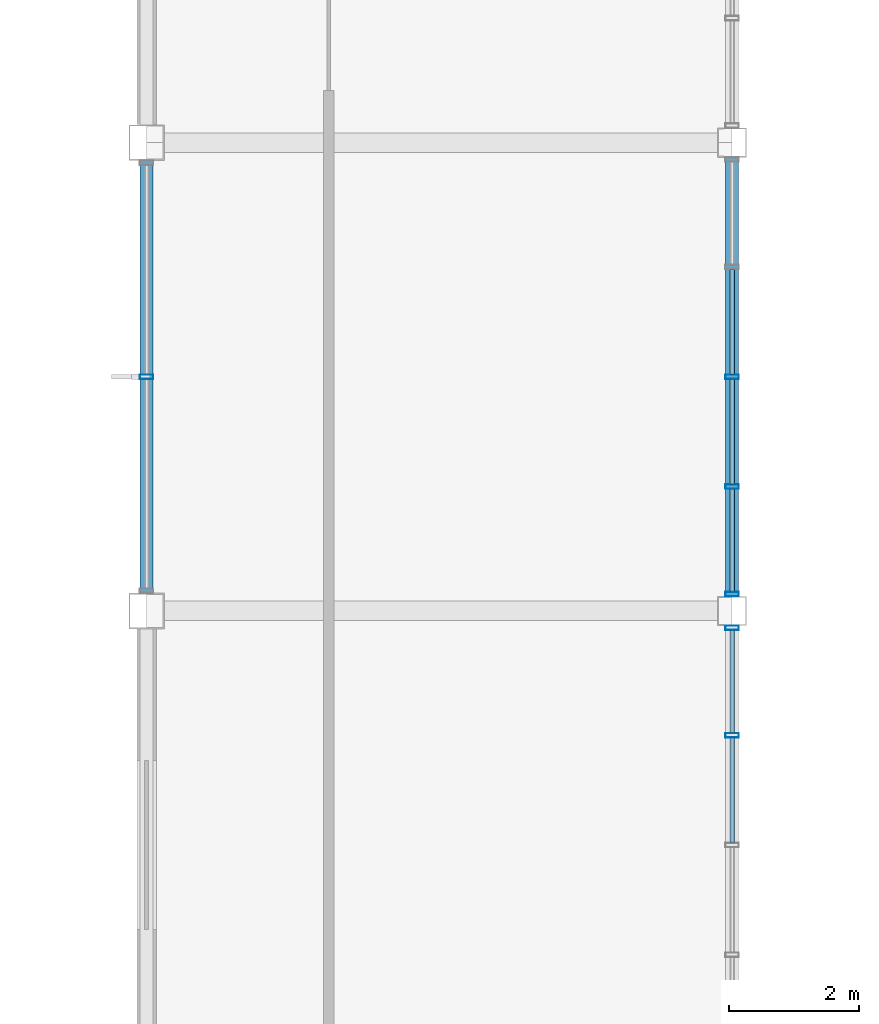
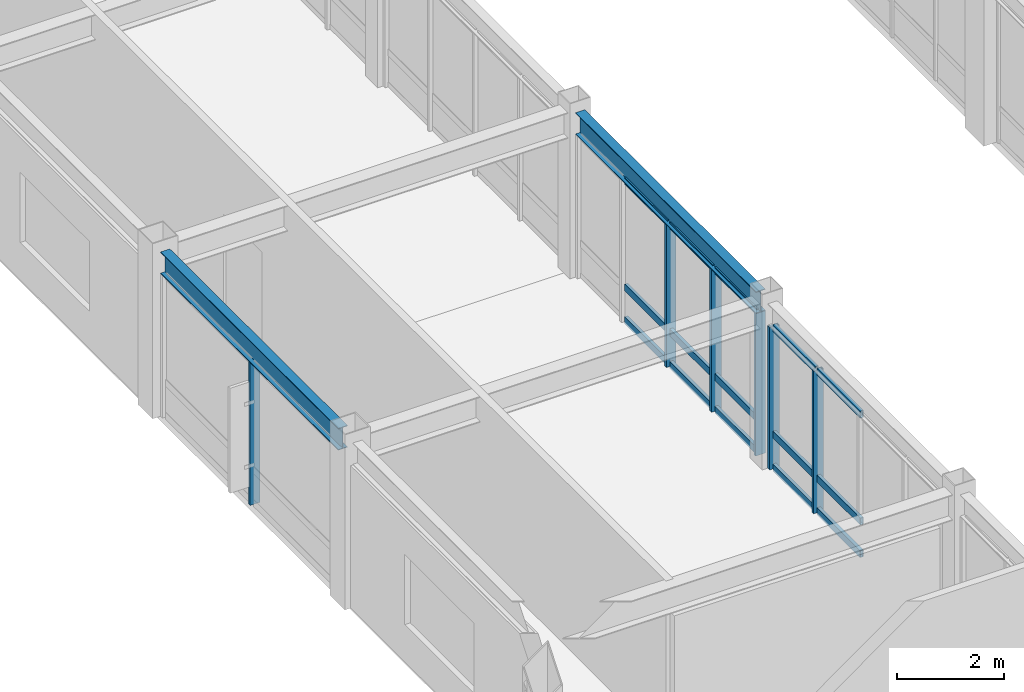
# One storey, part 46 of 122: 21 members, 2 beams, 3 elements without a shape of their own.
"""IFC4 building model written with IfcOpenShell, lengths in metres."""

from ifc_helpers import new_model, si_unit, direction, frame, origin, origin_2d, place, context, subcontext, project, spatial, hollow_rectangle, i_section, extrude, material, material_profile, profile_set, type_object, element, aggregate, save


model = new_model("IFC4")

# Units and contexts
model_context = context("Model", 3, precision=1e-05, world=origin(), true_north=direction((0.0, 1.0)))
body_context = subcontext(model_context, "Body", "Model", "MODEL_VIEW")
ifc_project = project(units=[si_unit("LENGTHUNIT", "METRE"), si_unit("AREAUNIT", "SQUARE_METRE"), si_unit("VOLUMEUNIT", "CUBIC_METRE"), si_unit("PLANEANGLEUNIT", "RADIAN"), si_unit("MASSUNIT", "GRAM", prefix="KILO")], contexts=[model_context])

# Site, building, storey
site_placement = place(None, origin())
site = spatial("IfcSite", under=ifc_project, at=site_placement, CompositionType="ELEMENT")
building_placement = place(site_placement, origin())
building = spatial("IfcBuilding", under=site, at=building_placement, Name="Kazanami Central Library", CompositionType="ELEMENT")
storey_placement = place(building_placement, frame((0.0, 0.0, 4.800048828125)))
storey = spatial("IfcBuildingStorey", under=building, at=storey_placement, Name="L02", CompositionType="ELEMENT", Elevation=4.800048828125)

# Beams
ifc_material_1 = material(Name="Steel SN490B (325 MPa)", Category="steel")
ifc_material_profile_1 = material_profile(ifc_material_1, i_section(OverallWidth=0.199951171875, OverallDepth=0.5, WebThickness=0.010009765625, FlangeThickness=0.01611328125, at=origin_2d()), Name="H-500x200x10x16")
ifc_profile_set_1 = profile_set([ifc_material_profile_1], Name="Steel SN490B (325 MPa)")
beam_type = type_object("IfcBeamType", Name="BM-SP-1", PredefinedType="SPANDREL", material=ifc_profile_set_1)
beam_1_placement = place(storey_placement, frame((99.0, 43.472900390625, 3.5048828125), z_axis=(0.0, 1.0, 0.0), x_axis=(-1.0, 0.0, 0.0)))
element("IfcBeam", 1, at=beam_1_placement, inside=storey, type_object=beam_type, Name="Girder SP-1 L02 12/G-H", PredefinedType="SPANDREL", context=body_context, shape_type="SweptSolid", body=[
    extrude(i_section(OverallWidth=0.199951171875, OverallDepth=0.5, WebThickness=0.010009765625, FlangeThickness=0.01611328125, at=origin_2d()), origin(), (0.0, 0.0, 1.0), 6.654052734375),
])
beam_2_placement = place(storey_placement, frame((108.0, 43.423095703125, 3.5048828125), z_axis=(0.0, 1.0, 0.0), x_axis=(-1.0, 0.0, 0.0)))
element("IfcBeam", 2, at=beam_2_placement, inside=storey, type_object=beam_type, Name="Girder SP-1 L02 13/G-H", PredefinedType="SPANDREL", context=body_context, shape_type="SweptSolid", body=[
    extrude(i_section(OverallWidth=0.199951171875, OverallDepth=0.5, WebThickness=0.010009765625, FlangeThickness=0.01611328125, at=origin_2d()), origin(), (0.0, 0.0, 1.0), 6.75390625),
])

# Curtain wall, member
ifc_material_2 = material(Name="Acid-Etched Low-E Laminated Glass", Category="glass")
curtain_wall_type_1 = type_object("IfcCurtainWallType", Name="CW-6650x3255-M275", PredefinedType="USERDEFINED", material=ifc_material_2)
curtain_wall_1_placement = place(storey_placement, origin())
curtain_wall_1 = element("IfcCurtainWall", 3, at=curtain_wall_1_placement, inside=storey, type_object=curtain_wall_type_1, Name="Unitised Curtain Wall CW-22 L02 W-12-06", ObjectType="UNITISED CURTAIN WALL", PredefinedType="USERDEFINED")
ifc_material_3 = material(Name="Anodised Aluminium A6063-T5", Category="aluminium")
ifc_material_profile_2 = material_profile(ifc_material_3, hollow_rectangle(XDim=0.070068359375, YDim=0.2099609375, WallThickness=0.0048828125, at=origin_2d()), Name="ALU-MULL-70x210x5")
ifc_profile_set_2 = profile_set([ifc_material_profile_2], Name="Anodised Aluminium A6063-T5")
member_type_1 = type_object("IfcMemberType", Name="MEM-CW-M1", PredefinedType="MULLION", material=ifc_profile_set_2)
member_1_placement = place(storey_placement, frame((99.0, 46.800048828125, 0.0), z_axis=(0.0, 0.0, 1.0), x_axis=(0.0, 1.0, 0.0)))
member_1 = element("IfcMember", 4, at=member_1_placement, type_object=member_type_1, Name="CW-22 mullion 2", PredefinedType="MULLION", context=body_context, shape_type="SweptSolid", body=[
    extrude(hollow_rectangle(XDim=0.070068359375, YDim=0.2099609375, WallThickness=0.0048828125, at=origin_2d()), origin(), (0.0, 0.0, 1.0), 3.2548828125),
])
aggregate(curtain_wall_1, [member_1])

# Curtain wall, members
curtain_wall_type_2 = type_object("IfcCurtainWallType", Name="CW-6750x3255-M180", PredefinedType="USERDEFINED", material=ifc_material_2)
curtain_wall_2_placement = place(storey_placement, origin())
curtain_wall_2 = element("IfcCurtainWall", 5, at=curtain_wall_2_placement, inside=storey, type_object=curtain_wall_type_2, Name="Covered Link Bridge Curtain Wall CW-21 L02 E-13-05", ObjectType="UNITISED CURTAIN WALL", PredefinedType="USERDEFINED")
member_2_placement = place(storey_placement, frame((108.0, 42.93994140625, 0.0), z_axis=(0.0, 0.0, 1.0), x_axis=(0.0, -1.0, 0.0)))
member_2 = element("IfcMember", 6, at=member_2_placement, type_object=member_type_1, Name="CW-21 mullion 1", PredefinedType="MULLION", context=body_context, shape_type="SweptSolid", body=[
    extrude(hollow_rectangle(XDim=0.070068359375, YDim=0.2099609375, WallThickness=0.0048828125, at=origin_2d()), origin(), (0.0, 0.0, 1.0), 3.2548828125),
])
member_3_placement = place(storey_placement, frame((108.0, 41.28759765625, 0.0), z_axis=(0.0, 0.0, 1.0), x_axis=(0.0, -1.0, 0.0)))
member_3 = element("IfcMember", 7, at=member_3_placement, type_object=member_type_1, Name="CW-21 mullion 2", PredefinedType="MULLION", context=body_context, shape_type="SweptSolid", body=[
    extrude(hollow_rectangle(XDim=0.070068359375, YDim=0.2099609375, WallThickness=0.0048828125, at=origin_2d()), origin(), (0.0, 0.0, 1.0), 3.2548828125),
])

curtain_wall_3_placement = place(storey_placement, origin())
curtain_wall_3 = element("IfcCurtainWall", 8, at=curtain_wall_3_placement, inside=storey, type_object=curtain_wall_type_2, Name="Covered Link Bridge Curtain Wall CW-21 L02 E-13-06", ObjectType="UNITISED CURTAIN WALL", PredefinedType="USERDEFINED")
member_4_placement = place(storey_placement, frame((108.0, 46.800048828125, 0.0), z_axis=(0.0, 0.0, 1.0), x_axis=(0.0, -1.0, 0.0)))
member_4 = element("IfcMember", 9, at=member_4_placement, type_object=member_type_1, Name="CW-21 mullion 3", PredefinedType="MULLION", context=body_context, shape_type="SweptSolid", body=[
    extrude(hollow_rectangle(XDim=0.070068359375, YDim=0.2099609375, WallThickness=0.0048828125, at=origin_2d()), origin(), (0.0, 0.0, 1.0), 3.2548828125),
])
member_5_placement = place(storey_placement, frame((108.0, 45.112548828125, 0.0), z_axis=(0.0, 0.0, 1.0), x_axis=(0.0, -1.0, 0.0)))
member_5 = element("IfcMember", 10, at=member_5_placement, type_object=member_type_1, Name="CW-21 mullion 4", PredefinedType="MULLION", context=body_context, shape_type="SweptSolid", body=[
    extrude(hollow_rectangle(XDim=0.070068359375, YDim=0.2099609375, WallThickness=0.0048828125, at=origin_2d()), origin(), (0.0, 0.0, 1.0), 3.2548828125),
])
member_6_placement = place(storey_placement, frame((108.0, 43.4599609375, 0.0), z_axis=(0.0, 0.0, 1.0), x_axis=(0.0, -1.0, 0.0)))
member_6 = element("IfcMember", 11, at=member_6_placement, type_object=member_type_1, Name="CW-21 mullion 5", PredefinedType="MULLION", context=body_context, shape_type="SweptSolid", body=[
    extrude(hollow_rectangle(XDim=0.070068359375, YDim=0.2099609375, WallThickness=0.0048828125, at=origin_2d()), origin(), (0.0, 0.0, 1.0), 3.2548828125),
])

# Member
ifc_material_profile_3 = material_profile(ifc_material_3, hollow_rectangle(XDim=0.070068359375, YDim=0.159912109375, WallThickness=0.00390625, at=origin_2d()), Name="ALU-TRAN-70x160x4")
ifc_profile_set_3 = profile_set([ifc_material_profile_3], Name="Anodised Aluminium A6063-T5")
member_type_2 = type_object("IfcMemberType", Name="MEM-CW-T1", PredefinedType="USERDEFINED", material=ifc_profile_set_3)
member_7_placement = place(storey_placement, frame((108.0, 42.905029296875, 0.034912109375), z_axis=(0.0, -1.0, 0.0), x_axis=(1.0, 0.0, 0.0)))
member_7 = element("IfcMember", 12, at=member_7_placement, type_object=member_type_2, Name="CW-21 transom 1.1", ObjectType="TRANSOM", PredefinedType="USERDEFINED", context=body_context, shape_type="SweptSolid", body=[
    extrude(hollow_rectangle(XDim=0.070068359375, YDim=0.159912109375, WallThickness=0.00390625, at=origin_2d()), origin(), (0.0, 0.0, 1.0), 1.58251953125),
])

member_8_placement = place(storey_placement, frame((108.0, 42.905029296875, 0.780029296875), z_axis=(0.0, -1.0, 0.0), x_axis=(1.0, 0.0, 0.0)))
member_8 = element("IfcMember", 13, at=member_8_placement, type_object=member_type_2, Name="CW-21 transom 1.2", ObjectType="TRANSOM", PredefinedType="USERDEFINED", context=body_context, shape_type="SweptSolid", body=[
    extrude(hollow_rectangle(XDim=0.070068359375, YDim=0.159912109375, WallThickness=0.00390625, at=origin_2d()), origin(), (0.0, 0.0, 1.0), 1.58251953125),
])

member_9_placement = place(storey_placement, frame((108.0, 42.905029296875, 3.219970703125), z_axis=(0.0, -1.0, 0.0), x_axis=(1.0, 0.0, 0.0)))
member_9 = element("IfcMember", 14, at=member_9_placement, type_object=member_type_2, Name="CW-21 transom 1.3", ObjectType="TRANSOM", PredefinedType="USERDEFINED", context=body_context, shape_type="SweptSolid", body=[
    extrude(hollow_rectangle(XDim=0.070068359375, YDim=0.159912109375, WallThickness=0.00390625, at=origin_2d()), origin(), (0.0, 0.0, 1.0), 1.58251953125),
])

member_10_placement = place(storey_placement, frame((108.0, 41.25244140625, 0.034912109375), z_axis=(0.0, -1.0, 0.0), x_axis=(1.0, 0.0, 0.0)))
member_10 = element("IfcMember", 15, at=member_10_placement, type_object=member_type_2, Name="CW-21 transom 2.1", ObjectType="TRANSOM", PredefinedType="USERDEFINED", context=body_context, shape_type="SweptSolid", body=[
    extrude(hollow_rectangle(XDim=0.070068359375, YDim=0.159912109375, WallThickness=0.00390625, at=origin_2d()), origin(), (0.0, 0.0, 1.0), 1.617431640625),
])

member_11_placement = place(storey_placement, frame((108.0, 41.25244140625, 0.780029296875), z_axis=(0.0, -1.0, 0.0), x_axis=(1.0, 0.0, 0.0)))
member_11 = element("IfcMember", 16, at=member_11_placement, type_object=member_type_2, Name="CW-21 transom 2.2", ObjectType="TRANSOM", PredefinedType="USERDEFINED", context=body_context, shape_type="SweptSolid", body=[
    extrude(hollow_rectangle(XDim=0.070068359375, YDim=0.159912109375, WallThickness=0.00390625, at=origin_2d()), origin(), (0.0, 0.0, 1.0), 1.617431640625),
])

member_12_placement = place(storey_placement, frame((108.0, 41.25244140625, 3.219970703125), z_axis=(0.0, -1.0, 0.0), x_axis=(1.0, 0.0, 0.0)))
member_12 = element("IfcMember", 17, at=member_12_placement, type_object=member_type_2, Name="CW-21 transom 2.3", ObjectType="TRANSOM", PredefinedType="USERDEFINED", context=body_context, shape_type="SweptSolid", body=[
    extrude(hollow_rectangle(XDim=0.070068359375, YDim=0.159912109375, WallThickness=0.00390625, at=origin_2d()), origin(), (0.0, 0.0, 1.0), 1.617431640625),
])

aggregate(curtain_wall_2, [member_2, member_3, member_7, member_8, member_9, member_10, member_11, member_12])

member_13_placement = place(storey_placement, frame((108.0, 48.452392578125, 0.034912109375), z_axis=(0.0, -1.0, 0.0), x_axis=(1.0, 0.0, 0.0)))
member_13 = element("IfcMember", 18, at=member_13_placement, type_object=member_type_2, Name="CW-21 transom 2.1", ObjectType="TRANSOM", PredefinedType="USERDEFINED", context=body_context, shape_type="SweptSolid", body=[
    extrude(hollow_rectangle(XDim=0.070068359375, YDim=0.159912109375, WallThickness=0.00390625, at=origin_2d()), origin(), (0.0, 0.0, 1.0), 1.617431640625),
])

member_14_placement = place(storey_placement, frame((108.0, 48.452392578125, 0.780029296875), z_axis=(0.0, -1.0, 0.0), x_axis=(1.0, 0.0, 0.0)))
member_14 = element("IfcMember", 19, at=member_14_placement, type_object=member_type_2, Name="CW-21 transom 2.2", ObjectType="TRANSOM", PredefinedType="USERDEFINED", context=body_context, shape_type="SweptSolid", body=[
    extrude(hollow_rectangle(XDim=0.070068359375, YDim=0.159912109375, WallThickness=0.00390625, at=origin_2d()), origin(), (0.0, 0.0, 1.0), 1.617431640625),
])

member_15_placement = place(storey_placement, frame((108.0, 48.452392578125, 3.219970703125), z_axis=(0.0, -1.0, 0.0), x_axis=(1.0, 0.0, 0.0)))
member_15 = element("IfcMember", 20, at=member_15_placement, type_object=member_type_2, Name="CW-21 transom 2.3", ObjectType="TRANSOM", PredefinedType="USERDEFINED", context=body_context, shape_type="SweptSolid", body=[
    extrude(hollow_rectangle(XDim=0.070068359375, YDim=0.159912109375, WallThickness=0.00390625, at=origin_2d()), origin(), (0.0, 0.0, 1.0), 1.617431640625),
])

member_16_placement = place(storey_placement, frame((108.0, 46.764892578125, 0.034912109375), z_axis=(0.0, -1.0, 0.0), x_axis=(1.0, 0.0, 0.0)))
member_16 = element("IfcMember", 21, at=member_16_placement, type_object=member_type_2, Name="CW-21 transom 3.1", ObjectType="TRANSOM", PredefinedType="USERDEFINED", context=body_context, shape_type="SweptSolid", body=[
    extrude(hollow_rectangle(XDim=0.070068359375, YDim=0.159912109375, WallThickness=0.00390625, at=origin_2d()), origin(), (0.0, 0.0, 1.0), 1.617431640625),
])

member_17_placement = place(storey_placement, frame((108.0, 46.764892578125, 0.780029296875), z_axis=(0.0, -1.0, 0.0), x_axis=(1.0, 0.0, 0.0)))
member_17 = element("IfcMember", 22, at=member_17_placement, type_object=member_type_2, Name="CW-21 transom 3.2", ObjectType="TRANSOM", PredefinedType="USERDEFINED", context=body_context, shape_type="SweptSolid", body=[
    extrude(hollow_rectangle(XDim=0.070068359375, YDim=0.159912109375, WallThickness=0.00390625, at=origin_2d()), origin(), (0.0, 0.0, 1.0), 1.617431640625),
])

member_18_placement = place(storey_placement, frame((108.0, 46.764892578125, 3.219970703125), z_axis=(0.0, -1.0, 0.0), x_axis=(1.0, 0.0, 0.0)))
member_18 = element("IfcMember", 23, at=member_18_placement, type_object=member_type_2, Name="CW-21 transom 3.3", ObjectType="TRANSOM", PredefinedType="USERDEFINED", context=body_context, shape_type="SweptSolid", body=[
    extrude(hollow_rectangle(XDim=0.070068359375, YDim=0.159912109375, WallThickness=0.00390625, at=origin_2d()), origin(), (0.0, 0.0, 1.0), 1.617431640625),
])

member_19_placement = place(storey_placement, frame((108.0, 45.077392578125, 0.034912109375), z_axis=(0.0, -1.0, 0.0), x_axis=(1.0, 0.0, 0.0)))
member_19 = element("IfcMember", 24, at=member_19_placement, type_object=member_type_2, Name="CW-21 transom 4.1", ObjectType="TRANSOM", PredefinedType="USERDEFINED", context=body_context, shape_type="SweptSolid", body=[
    extrude(hollow_rectangle(XDim=0.070068359375, YDim=0.159912109375, WallThickness=0.00390625, at=origin_2d()), origin(), (0.0, 0.0, 1.0), 1.582275390625),
])

member_20_placement = place(storey_placement, frame((108.0, 45.077392578125, 0.780029296875), z_axis=(0.0, -1.0, 0.0), x_axis=(1.0, 0.0, 0.0)))
member_20 = element("IfcMember", 25, at=member_20_placement, type_object=member_type_2, Name="CW-21 transom 4.2", ObjectType="TRANSOM", PredefinedType="USERDEFINED", context=body_context, shape_type="SweptSolid", body=[
    extrude(hollow_rectangle(XDim=0.070068359375, YDim=0.159912109375, WallThickness=0.00390625, at=origin_2d()), origin(), (0.0, 0.0, 1.0), 1.582275390625),
])

member_21_placement = place(storey_placement, frame((108.0, 45.077392578125, 3.219970703125), z_axis=(0.0, -1.0, 0.0), x_axis=(1.0, 0.0, 0.0)))
member_21 = element("IfcMember", 26, at=member_21_placement, type_object=member_type_2, Name="CW-21 transom 4.3", ObjectType="TRANSOM", PredefinedType="USERDEFINED", context=body_context, shape_type="SweptSolid", body=[
    extrude(hollow_rectangle(XDim=0.070068359375, YDim=0.159912109375, WallThickness=0.00390625, at=origin_2d()), origin(), (0.0, 0.0, 1.0), 1.582275390625),
])

aggregate(curtain_wall_3, [member_4, member_5, member_6, member_13, member_14, member_15, member_16, member_17, member_18, member_19, member_20, member_21])

save(model, "model.ifc")
